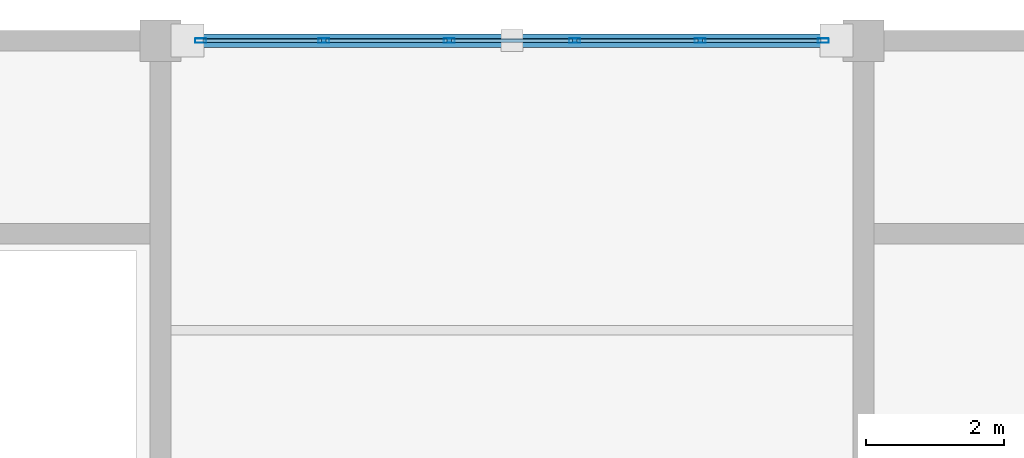
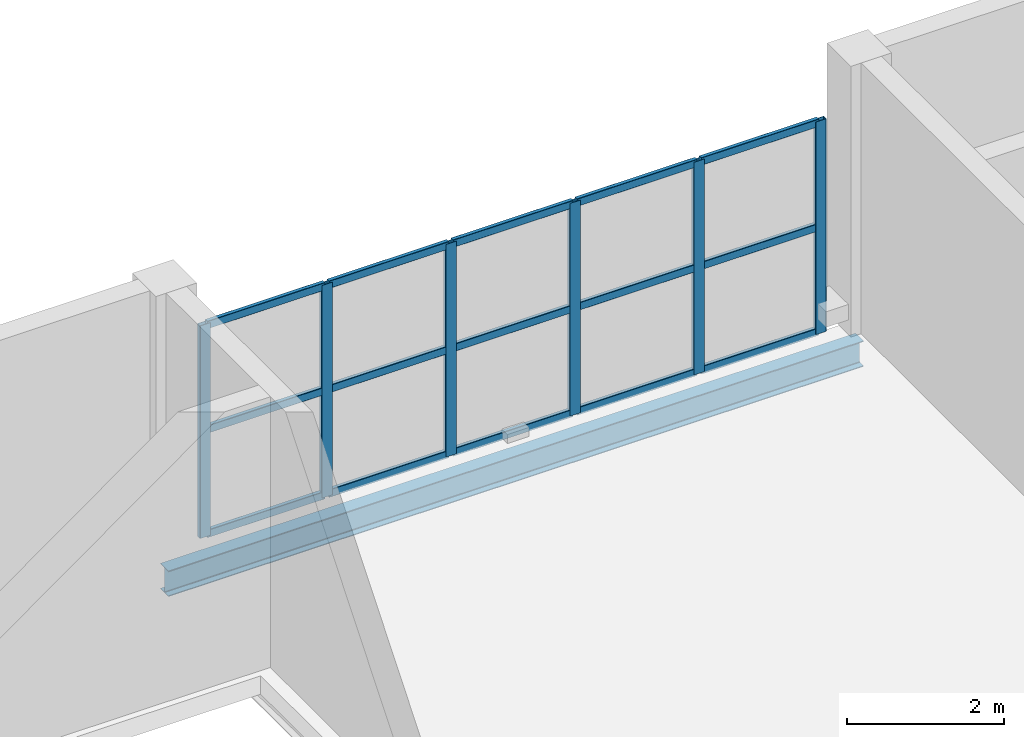
# One storey, part 6 of 12: 21 members, 1 beam, 1 element without a shape of its own.
"""IFC4 building model written with IfcOpenShell, lengths in metres."""

from ifc_helpers import new_model, si_unit, direction, frame, origin, origin_2d, place, context, subcontext, project, spatial, hollow_rectangle, i_section, extrude, material, material_profile, profile_set, type_object, element, aggregate, save


model = new_model("IFC4")

# Units and contexts
model_context = context("Model", 3, precision=1e-05, world=origin(), true_north=direction((0.0, 1.0)))
body_context = subcontext(model_context, "Body", "Model", "MODEL_VIEW")
ifc_project = project(units=[si_unit("LENGTHUNIT", "METRE"), si_unit("AREAUNIT", "SQUARE_METRE"), si_unit("VOLUMEUNIT", "CUBIC_METRE"), si_unit("PLANEANGLEUNIT", "RADIAN"), si_unit("MASSUNIT", "GRAM", prefix="KILO")], contexts=[model_context])

# Site, building, storey
site_placement = place(None, origin())
site = spatial("IfcSite", under=ifc_project, at=site_placement, CompositionType="ELEMENT")
building_placement = place(site_placement, origin())
building = spatial("IfcBuilding", under=site, at=building_placement, Name="Brelvane Convention Centre", CompositionType="ELEMENT")
storey_placement = place(building_placement, frame((0.0, 0.0, 23.39990234375)))
storey = spatial("IfcBuildingStorey", under=building, at=storey_placement, Name="L05", CompositionType="ELEMENT", Elevation=23.39990234375)

# Curtain wall, members
ifc_material_1 = material(Name="Anodised Aluminium Alloy 6063-T6", Category="aluminium")
curtain_wall_type = type_object("IfcCurtainWallType", Name="Curtain Wall CW-BOUL", PredefinedType="USERDEFINED", material=ifc_material_1)
curtain_wall_placement = place(storey_placement, origin())
curtain_wall = element("IfcCurtainWall", 1, at=curtain_wall_placement, inside=storey, type_object=curtain_wall_type, Name="Curtain Wall CW-BOUL L05-V4N-02", ObjectType="UNITISED", PredefinedType="USERDEFINED")
ifc_material_2 = material(Name="Anodised Aluminium Alloy 6063-T6", Category="aluminium")
ifc_material_profile_1 = material_profile(ifc_material_2, hollow_rectangle(XDim=0.06494140625, YDim=0.159912109375, WallThickness=0.00390625, InnerFilletRadius=0.00390625, OuterFilletRadius=0.008056640625, at=origin_2d()), Name="ALU-M 160x65x4.0")
ifc_profile_set_1 = profile_set([ifc_material_profile_1], Name="Anodised Aluminium Alloy 6063-T6")
member_type_1 = type_object("IfcMemberType", Name="Curtain Mullion CW-M3", PredefinedType="MULLION", material=ifc_profile_set_1)
member_1_placement = place(storey_placement, frame((10.782470703125, 144.0, 0.0), z_axis=(0.0, 0.0, 1.0), x_axis=(0.0, 1.0, 0.0)))
member_1 = element("IfcMember", 2, at=member_1_placement, type_object=member_type_1, Name="CW-BOUL mullion 1", PredefinedType="MULLION", context=body_context, shape_type="SweptSolid", body=[
    extrude(hollow_rectangle(XDim=0.06494140625, YDim=0.159912109375, WallThickness=0.00390625, InnerFilletRadius=0.00390625, OuterFilletRadius=0.008056640625, at=origin_2d()), origin(), (0.0, 0.0, 1.0), 3.300048828125),
])
member_2_placement = place(storey_placement, frame((12.570068359375, 144.0, 0.0), z_axis=(0.0, 0.0, 1.0), x_axis=(0.0, 1.0, 0.0)))
member_2 = element("IfcMember", 3, at=member_2_placement, type_object=member_type_1, Name="CW-BOUL mullion 2", PredefinedType="MULLION", context=body_context, shape_type="SweptSolid", body=[
    extrude(hollow_rectangle(XDim=0.06494140625, YDim=0.159912109375, WallThickness=0.00390625, InnerFilletRadius=0.00390625, OuterFilletRadius=0.008056640625, at=origin_2d()), origin(), (0.0, 0.0, 1.0), 3.300048828125),
])
member_3_placement = place(storey_placement, frame((14.389892578125, 144.0, 0.0), z_axis=(0.0, 0.0, 1.0), x_axis=(0.0, 1.0, 0.0)))
member_3 = element("IfcMember", 4, at=member_3_placement, type_object=member_type_1, Name="CW-BOUL mullion 3", PredefinedType="MULLION", context=body_context, shape_type="SweptSolid", body=[
    extrude(hollow_rectangle(XDim=0.06494140625, YDim=0.159912109375, WallThickness=0.00390625, InnerFilletRadius=0.00390625, OuterFilletRadius=0.008056640625, at=origin_2d()), origin(), (0.0, 0.0, 1.0), 3.300048828125),
])
member_4_placement = place(storey_placement, frame((16.2099609375, 144.0, 0.0), z_axis=(0.0, 0.0, 1.0), x_axis=(0.0, 1.0, 0.0)))
member_4 = element("IfcMember", 5, at=member_4_placement, type_object=member_type_1, Name="CW-BOUL mullion 4", PredefinedType="MULLION", context=body_context, shape_type="SweptSolid", body=[
    extrude(hollow_rectangle(XDim=0.06494140625, YDim=0.159912109375, WallThickness=0.00390625, InnerFilletRadius=0.00390625, OuterFilletRadius=0.008056640625, at=origin_2d()), origin(), (0.0, 0.0, 1.0), 3.300048828125),
])
member_5_placement = place(storey_placement, frame((18.030029296875, 144.0, 0.0), z_axis=(0.0, 0.0, 1.0), x_axis=(0.0, 1.0, 0.0)))
member_5 = element("IfcMember", 6, at=member_5_placement, type_object=member_type_1, Name="CW-BOUL mullion 5", PredefinedType="MULLION", context=body_context, shape_type="SweptSolid", body=[
    extrude(hollow_rectangle(XDim=0.06494140625, YDim=0.159912109375, WallThickness=0.00390625, InnerFilletRadius=0.00390625, OuterFilletRadius=0.008056640625, at=origin_2d()), origin(), (0.0, 0.0, 1.0), 3.300048828125),
])
member_6_placement = place(storey_placement, frame((19.8173828125, 144.0, 0.0), z_axis=(0.0, 0.0, 1.0), x_axis=(0.0, 1.0, 0.0)))
member_6 = element("IfcMember", 7, at=member_6_placement, type_object=member_type_1, Name="CW-BOUL mullion 6", PredefinedType="MULLION", context=body_context, shape_type="SweptSolid", body=[
    extrude(hollow_rectangle(XDim=0.06494140625, YDim=0.159912109375, WallThickness=0.00390625, InnerFilletRadius=0.00390625, OuterFilletRadius=0.008056640625, at=origin_2d()), origin(), (0.0, 0.0, 1.0), 3.300048828125),
])
ifc_material_3 = material(Name="Anodised Aluminium Alloy 6063-T6", Category="aluminium")
ifc_material_profile_2 = material_profile(ifc_material_3, hollow_rectangle(XDim=0.06005859375, YDim=0.1201171875, WallThickness=0.00390625, InnerFilletRadius=0.00390625, OuterFilletRadius=0.008056640625, at=origin_2d()), Name="ALU-T 120x60x4.0")
ifc_profile_set_2 = profile_set([ifc_material_profile_2], Name="Anodised Aluminium Alloy 6063-T6")
member_type_2 = type_object("IfcMemberType", Name="Curtain Transom CW-T3", PredefinedType="USERDEFINED", material=ifc_profile_set_2)
member_7_placement = place(storey_placement, frame((10.81494140625, 144.0, 0.030029296875), z_axis=(1.0, 0.0, 0.0), x_axis=(0.0, 1.0, 0.0)))
member_7 = element("IfcMember", 8, at=member_7_placement, type_object=member_type_2, Name="CW-BOUL transom 1.1", ObjectType="TRANSOM", PredefinedType="USERDEFINED", context=body_context, shape_type="SweptSolid", body=[
    extrude(hollow_rectangle(XDim=0.06005859375, YDim=0.1201171875, WallThickness=0.00390625, InnerFilletRadius=0.00390625, OuterFilletRadius=0.008056640625, at=origin_2d()), origin(), (0.0, 0.0, 1.0), 1.72265625),
])
member_8_placement = place(storey_placement, frame((10.81494140625, 144.0, 1.650146484375), z_axis=(1.0, 0.0, 0.0), x_axis=(0.0, 1.0, 0.0)))
member_8 = element("IfcMember", 9, at=member_8_placement, type_object=member_type_2, Name="CW-BOUL transom 1.2", ObjectType="TRANSOM", PredefinedType="USERDEFINED", context=body_context, shape_type="SweptSolid", body=[
    extrude(hollow_rectangle(XDim=0.06005859375, YDim=0.1201171875, WallThickness=0.00390625, InnerFilletRadius=0.00390625, OuterFilletRadius=0.008056640625, at=origin_2d()), origin(), (0.0, 0.0, 1.0), 1.72265625),
])
member_9_placement = place(storey_placement, frame((10.81494140625, 144.0, 3.27001953125), z_axis=(1.0, 0.0, 0.0), x_axis=(0.0, 1.0, 0.0)))
member_9 = element("IfcMember", 10, at=member_9_placement, type_object=member_type_2, Name="CW-BOUL transom 1.3", ObjectType="TRANSOM", PredefinedType="USERDEFINED", context=body_context, shape_type="SweptSolid", body=[
    extrude(hollow_rectangle(XDim=0.06005859375, YDim=0.1201171875, WallThickness=0.00390625, InnerFilletRadius=0.00390625, OuterFilletRadius=0.008056640625, at=origin_2d()), origin(), (0.0, 0.0, 1.0), 1.72265625),
])
member_10_placement = place(storey_placement, frame((12.6025390625, 144.0, 0.030029296875), z_axis=(1.0, 0.0, 0.0), x_axis=(0.0, 1.0, 0.0)))
member_10 = element("IfcMember", 11, at=member_10_placement, type_object=member_type_2, Name="CW-BOUL transom 2.1", ObjectType="TRANSOM", PredefinedType="USERDEFINED", context=body_context, shape_type="SweptSolid", body=[
    extrude(hollow_rectangle(XDim=0.06005859375, YDim=0.1201171875, WallThickness=0.00390625, InnerFilletRadius=0.00390625, OuterFilletRadius=0.008056640625, at=origin_2d()), origin(), (0.0, 0.0, 1.0), 1.7548828125),
])
member_11_placement = place(storey_placement, frame((12.6025390625, 144.0, 1.650146484375), z_axis=(1.0, 0.0, 0.0), x_axis=(0.0, 1.0, 0.0)))
member_11 = element("IfcMember", 12, at=member_11_placement, type_object=member_type_2, Name="CW-BOUL transom 2.2", ObjectType="TRANSOM", PredefinedType="USERDEFINED", context=body_context, shape_type="SweptSolid", body=[
    extrude(hollow_rectangle(XDim=0.06005859375, YDim=0.1201171875, WallThickness=0.00390625, InnerFilletRadius=0.00390625, OuterFilletRadius=0.008056640625, at=origin_2d()), origin(), (0.0, 0.0, 1.0), 1.7548828125),
])
member_12_placement = place(storey_placement, frame((12.6025390625, 144.0, 3.27001953125), z_axis=(1.0, 0.0, 0.0), x_axis=(0.0, 1.0, 0.0)))
member_12 = element("IfcMember", 13, at=member_12_placement, type_object=member_type_2, Name="CW-BOUL transom 2.3", ObjectType="TRANSOM", PredefinedType="USERDEFINED", context=body_context, shape_type="SweptSolid", body=[
    extrude(hollow_rectangle(XDim=0.06005859375, YDim=0.1201171875, WallThickness=0.00390625, InnerFilletRadius=0.00390625, OuterFilletRadius=0.008056640625, at=origin_2d()), origin(), (0.0, 0.0, 1.0), 1.7548828125),
])
member_13_placement = place(storey_placement, frame((14.422607421875, 144.0, 0.030029296875), z_axis=(1.0, 0.0, 0.0), x_axis=(0.0, 1.0, 0.0)))
member_13 = element("IfcMember", 14, at=member_13_placement, type_object=member_type_2, Name="CW-BOUL transom 3.1", ObjectType="TRANSOM", PredefinedType="USERDEFINED", context=body_context, shape_type="SweptSolid", body=[
    extrude(hollow_rectangle(XDim=0.06005859375, YDim=0.1201171875, WallThickness=0.00390625, InnerFilletRadius=0.00390625, OuterFilletRadius=0.008056640625, at=origin_2d()), origin(), (0.0, 0.0, 1.0), 1.7548828125),
])
member_14_placement = place(storey_placement, frame((14.422607421875, 144.0, 1.650146484375), z_axis=(1.0, 0.0, 0.0), x_axis=(0.0, 1.0, 0.0)))
member_14 = element("IfcMember", 15, at=member_14_placement, type_object=member_type_2, Name="CW-BOUL transom 3.2", ObjectType="TRANSOM", PredefinedType="USERDEFINED", context=body_context, shape_type="SweptSolid", body=[
    extrude(hollow_rectangle(XDim=0.06005859375, YDim=0.1201171875, WallThickness=0.00390625, InnerFilletRadius=0.00390625, OuterFilletRadius=0.008056640625, at=origin_2d()), origin(), (0.0, 0.0, 1.0), 1.7548828125),
])
member_15_placement = place(storey_placement, frame((14.422607421875, 144.0, 3.27001953125), z_axis=(1.0, 0.0, 0.0), x_axis=(0.0, 1.0, 0.0)))
member_15 = element("IfcMember", 16, at=member_15_placement, type_object=member_type_2, Name="CW-BOUL transom 3.3", ObjectType="TRANSOM", PredefinedType="USERDEFINED", context=body_context, shape_type="SweptSolid", body=[
    extrude(hollow_rectangle(XDim=0.06005859375, YDim=0.1201171875, WallThickness=0.00390625, InnerFilletRadius=0.00390625, OuterFilletRadius=0.008056640625, at=origin_2d()), origin(), (0.0, 0.0, 1.0), 1.7548828125),
])
member_16_placement = place(storey_placement, frame((16.242431640625, 144.0, 0.030029296875), z_axis=(1.0, 0.0, 0.0), x_axis=(0.0, 1.0, 0.0)))
member_16 = element("IfcMember", 17, at=member_16_placement, type_object=member_type_2, Name="CW-BOUL transom 4.1", ObjectType="TRANSOM", PredefinedType="USERDEFINED", context=body_context, shape_type="SweptSolid", body=[
    extrude(hollow_rectangle(XDim=0.06005859375, YDim=0.1201171875, WallThickness=0.00390625, InnerFilletRadius=0.00390625, OuterFilletRadius=0.008056640625, at=origin_2d()), origin(), (0.0, 0.0, 1.0), 1.755126953125),
])
member_17_placement = place(storey_placement, frame((16.242431640625, 144.0, 1.650146484375), z_axis=(1.0, 0.0, 0.0), x_axis=(0.0, 1.0, 0.0)))
member_17 = element("IfcMember", 18, at=member_17_placement, type_object=member_type_2, Name="CW-BOUL transom 4.2", ObjectType="TRANSOM", PredefinedType="USERDEFINED", context=body_context, shape_type="SweptSolid", body=[
    extrude(hollow_rectangle(XDim=0.06005859375, YDim=0.1201171875, WallThickness=0.00390625, InnerFilletRadius=0.00390625, OuterFilletRadius=0.008056640625, at=origin_2d()), origin(), (0.0, 0.0, 1.0), 1.755126953125),
])
member_18_placement = place(storey_placement, frame((16.242431640625, 144.0, 3.27001953125), z_axis=(1.0, 0.0, 0.0), x_axis=(0.0, 1.0, 0.0)))
member_18 = element("IfcMember", 19, at=member_18_placement, type_object=member_type_2, Name="CW-BOUL transom 4.3", ObjectType="TRANSOM", PredefinedType="USERDEFINED", context=body_context, shape_type="SweptSolid", body=[
    extrude(hollow_rectangle(XDim=0.06005859375, YDim=0.1201171875, WallThickness=0.00390625, InnerFilletRadius=0.00390625, OuterFilletRadius=0.008056640625, at=origin_2d()), origin(), (0.0, 0.0, 1.0), 1.755126953125),
])
member_19_placement = place(storey_placement, frame((18.0625, 144.0, 0.030029296875), z_axis=(1.0, 0.0, 0.0), x_axis=(0.0, 1.0, 0.0)))
member_19 = element("IfcMember", 20, at=member_19_placement, type_object=member_type_2, Name="CW-BOUL transom 5.1", ObjectType="TRANSOM", PredefinedType="USERDEFINED", context=body_context, shape_type="SweptSolid", body=[
    extrude(hollow_rectangle(XDim=0.06005859375, YDim=0.1201171875, WallThickness=0.00390625, InnerFilletRadius=0.00390625, OuterFilletRadius=0.008056640625, at=origin_2d()), origin(), (0.0, 0.0, 1.0), 1.722412109375),
])
member_20_placement = place(storey_placement, frame((18.0625, 144.0, 1.650146484375), z_axis=(1.0, 0.0, 0.0), x_axis=(0.0, 1.0, 0.0)))
member_20 = element("IfcMember", 21, at=member_20_placement, type_object=member_type_2, Name="CW-BOUL transom 5.2", ObjectType="TRANSOM", PredefinedType="USERDEFINED", context=body_context, shape_type="SweptSolid", body=[
    extrude(hollow_rectangle(XDim=0.06005859375, YDim=0.1201171875, WallThickness=0.00390625, InnerFilletRadius=0.00390625, OuterFilletRadius=0.008056640625, at=origin_2d()), origin(), (0.0, 0.0, 1.0), 1.722412109375),
])
member_21_placement = place(storey_placement, frame((18.0625, 144.0, 3.27001953125), z_axis=(1.0, 0.0, 0.0), x_axis=(0.0, 1.0, 0.0)))
member_21 = element("IfcMember", 22, at=member_21_placement, type_object=member_type_2, Name="CW-BOUL transom 5.3", ObjectType="TRANSOM", PredefinedType="USERDEFINED", context=body_context, shape_type="SweptSolid", body=[
    extrude(hollow_rectangle(XDim=0.06005859375, YDim=0.1201171875, WallThickness=0.00390625, InnerFilletRadius=0.00390625, OuterFilletRadius=0.008056640625, at=origin_2d()), origin(), (0.0, 0.0, 1.0), 1.722412109375),
])
aggregate(curtain_wall, [member_1, member_2, member_3, member_4, member_5, member_6, member_7, member_8, member_9, member_10, member_11, member_12, member_13, member_14, member_15, member_16, member_17, member_18, member_19, member_20, member_21])

# Beam
ifc_material_4 = material(Name="Steel E350 (350 MPa)", Category="steel")
ifc_material_profile_3 = material_profile(ifc_material_4, i_section(OverallWidth=0.199951171875, OverallDepth=0.39990234375, WebThickness=0.008544921875, FlangeThickness=0.012939453125, FilletRadius=0.013916015625, at=origin_2d()), Name="ISWB 400")
ifc_profile_set_3 = profile_set([ifc_material_profile_3], Name="Steel E350 (350 MPa)")
beam_type = type_object("IfcBeamType", Name="Steel Spandrel SP-ST2 (ISWB 400)", PredefinedType="SPANDREL", material=ifc_profile_set_3)
beam_placement = place(storey_placement, frame((10.199951171875, 144.0, -0.48486328125), z_axis=(1.0, 0.0, 0.0), x_axis=(0.0, 1.0, 0.0)))
element("IfcBeam", 23, at=beam_placement, inside=storey, type_object=beam_type, Name="L05 Beam 2-3/Q", PredefinedType="SPANDREL", context=body_context, shape_type="SweptSolid", body=[
    extrude(i_section(OverallWidth=0.199951171875, OverallDepth=0.39990234375, WebThickness=0.008544921875, FlangeThickness=0.012939453125, FilletRadius=0.013916015625, at=origin_2d()), origin(), (0.0, 0.0, 1.0), 10.199951171875),
])

save(model, "model.ifc")
